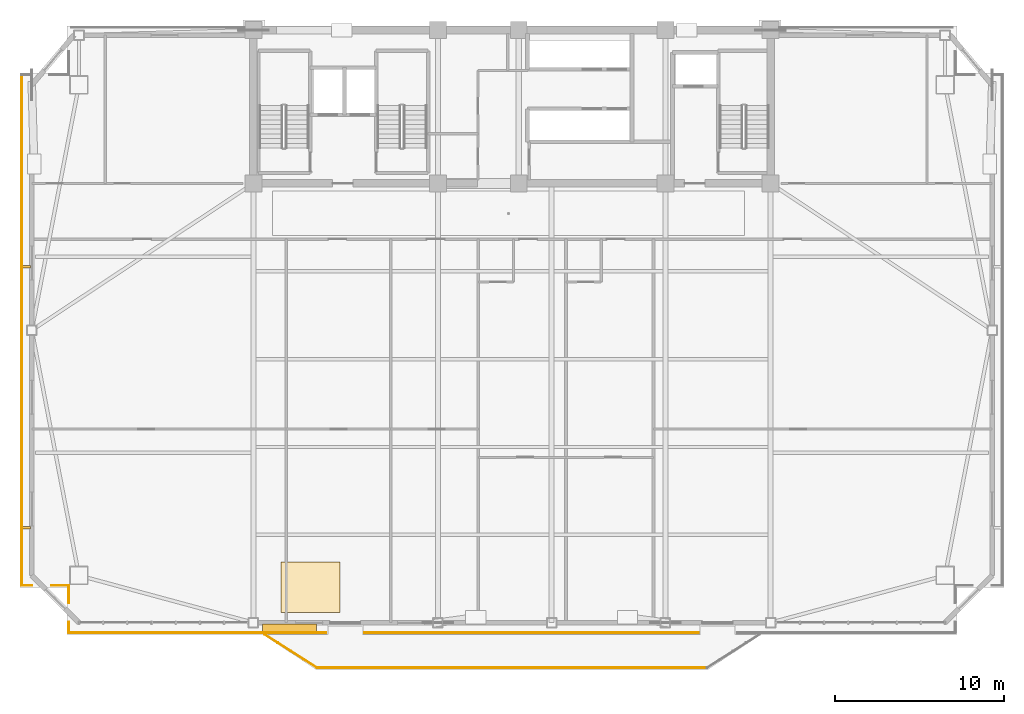
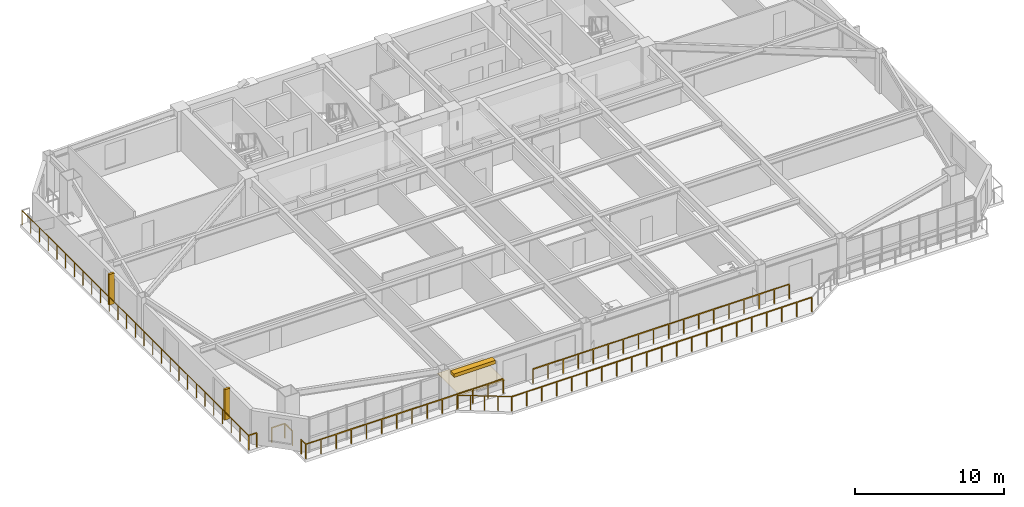
# One storey, part 13 of 17: 9 railings, 3 shading devices, 1 covering.
"""IFC4 building model written with IfcOpenShell, lengths in metres."""

from ifc_helpers import new_model, si_unit, direction, frame, origin, origin_2d, place, context, subcontext, project, spatial, polyline, rectangle, outline, extrude, source, transform, mapped, material, layer, layer_set, type_object, element, save


model = new_model("IFC4")

# Units and contexts
model_context = context("Model", 3, precision=1e-05, world=origin(), true_north=direction((0.0, 1.0)))
body_context = subcontext(model_context, "Body", "Model", "MODEL_VIEW")
ifc_project = project(units=[si_unit("LENGTHUNIT", "METRE"), si_unit("AREAUNIT", "SQUARE_METRE"), si_unit("VOLUMEUNIT", "CUBIC_METRE"), si_unit("PLANEANGLEUNIT", "RADIAN"), si_unit("MASSUNIT", "GRAM", prefix="KILO")], contexts=[model_context])

# Site, building, storey
site_placement = place(None, origin())
site = spatial("IfcSite", under=ifc_project, at=site_placement, CompositionType="ELEMENT")
building_placement = place(site_placement, origin())
building = spatial("IfcBuilding", under=site, at=building_placement, Name="Giltprow Tower", CompositionType="ELEMENT")
storey_placement = place(building_placement, frame((0.0, 0.0, 202.699951171875)))
storey = spatial("IfcBuildingStorey", under=building, at=storey_placement, Name="L51", CompositionType="ELEMENT", Elevation=202.699951171875)

# Covering
ifc_material_1 = material(Name="Engineered oak", Category="wood")
ifc_layer = layer(ifc_material_1, 0.02490234375, Name="Engineered oak")
ifc_layer_set = layer_set([ifc_layer], Name="Engineered oak")
covering_type = type_object("IfcCoveringType", Name="COV-FLR-TIMBER", PredefinedType="FLOORING", material=ifc_layer_set)
covering_placement = place(storey_placement, origin())
element("IfcCovering", 1, at=covering_placement, inside=storey, type_object=covering_type, Name="L51 Engineered Oak Guestroom Flooring", PredefinedType="FLOORING", context=body_context, shape_type="SweptSolid", body=[
    extrude(outline(polyline([(21.5, 11.986083984375), (25.0, 11.986083984375), (25.0, 14.986083984375), (21.5, 14.986083984375), (21.5, 11.986083984375)])), origin(), (0.0, 0.0, 1.0), 0.025146484375),
])

# Railings
ifc_material_2 = material(Name="Anodized bronze", Category="metal")
railing_type = type_object("IfcRailingType", Name="RAIL-BALC-GUARD-1200", PredefinedType="BALUSTRADE", material=ifc_material_2)
railing_1_placement = place(storey_placement, frame((20.52001953125, 10.68603515625, 0.0)))
element("IfcRailing", 2, at=railing_1_placement, inside=storey, type_object=railing_type, Name="L51 Waterfront Balcony Balustrade Seg 1", PredefinedType="BALUSTRADE", context=body_context, shape_type="SweptSolid", body=[
    extrude(rectangle(XDim=0.048095703125, YDim=0.048095703125, at=origin_2d()), frame((0.0, 0.0, 1.17578125), z_axis=(0.84277487735, -0.538266203757, 0.0), x_axis=(0.538266203757, 0.84277487735, 0.0)), (0.0, 0.0, 1.0), 3.678466796875),
    extrude(rectangle(XDim=0.0419921875, YDim=0.0419921875, at=origin_2d()), origin(), (0.0, 0.0, 1.0), 1.15185546875),
    extrude(rectangle(XDim=0.0419921875, YDim=0.0419921875, at=origin_2d()), frame((0.77490234375, -0.4951171875, 0.0)), (0.0, 0.0, 1.0), 1.15185546875),
    extrude(rectangle(XDim=0.0419921875, YDim=0.0419921875, at=origin_2d()), frame((1.550048828125, -0.989990234375, 0.0)), (0.0, 0.0, 1.0), 1.15185546875),
    extrude(rectangle(XDim=0.0419921875, YDim=0.0419921875, at=origin_2d()), frame((2.3251953125, -1.48486328125, 0.0)), (0.0, 0.0, 1.0), 1.15185546875),
    extrude(rectangle(XDim=0.0419921875, YDim=0.0419921875, at=origin_2d()), frame((3.10009765625, -1.97998046875, 0.0)), (0.0, 0.0, 1.0), 1.15185546875),
])
railing_2_placement = place(storey_placement, frame((23.6201171875, 8.7060546875, 0.0)))
element("IfcRailing", 3, at=railing_2_placement, inside=storey, type_object=railing_type, Name="L51 Waterfront Balcony Balustrade Seg 2", PredefinedType="BALUSTRADE", context=body_context, shape_type="SweptSolid", body=[
    extrude(rectangle(XDim=0.048095703125, YDim=0.048095703125, at=origin_2d()), frame((0.0, 0.0, 1.17578125), z_axis=(1.0, 0.0, 0.0), x_axis=(0.0, 1.0, 0.0)), (0.0, 0.0, 1.0), 23.159912109375),
    extrude(rectangle(XDim=0.0419921875, YDim=0.0419921875, at=origin_2d()), origin(), (0.0, 0.0, 1.0), 1.15185546875),
    extrude(rectangle(XDim=0.0419921875, YDim=0.0419921875, at=origin_2d()), frame((1.157958984375, 0.0, 0.0)), (0.0, 0.0, 1.0), 1.15185546875),
    extrude(rectangle(XDim=0.0419921875, YDim=0.0419921875, at=origin_2d()), frame((2.31591796875, 0.0, 0.0)), (0.0, 0.0, 1.0), 1.15185546875),
    extrude(rectangle(XDim=0.0419921875, YDim=0.0419921875, at=origin_2d()), frame((3.473876953125, 0.0, 0.0)), (0.0, 0.0, 1.0), 1.15185546875),
    extrude(rectangle(XDim=0.0419921875, YDim=0.0419921875, at=origin_2d()), frame((4.632080078125, 0.0, 0.0)), (0.0, 0.0, 1.0), 1.15185546875),
    extrude(rectangle(XDim=0.0419921875, YDim=0.0419921875, at=origin_2d()), frame((5.7900390625, 0.0, 0.0)), (0.0, 0.0, 1.0), 1.15185546875),
    extrude(rectangle(XDim=0.0419921875, YDim=0.0419921875, at=origin_2d()), frame((6.947998046875, 0.0, 0.0)), (0.0, 0.0, 1.0), 1.15185546875),
    extrude(rectangle(XDim=0.0419921875, YDim=0.0419921875, at=origin_2d()), frame((8.10595703125, 0.0, 0.0)), (0.0, 0.0, 1.0), 1.15185546875),
    extrude(rectangle(XDim=0.0419921875, YDim=0.0419921875, at=origin_2d()), frame((9.263916015625, 0.0, 0.0)), (0.0, 0.0, 1.0), 1.15185546875),
    extrude(rectangle(XDim=0.0419921875, YDim=0.0419921875, at=origin_2d()), frame((10.421875, 0.0, 0.0)), (0.0, 0.0, 1.0), 1.15185546875),
    extrude(rectangle(XDim=0.0419921875, YDim=0.0419921875, at=origin_2d()), frame((11.580078125, 0.0, 0.0)), (0.0, 0.0, 1.0), 1.15185546875),
    extrude(rectangle(XDim=0.0419921875, YDim=0.0419921875, at=origin_2d()), frame((12.738037109375, 0.0, 0.0)), (0.0, 0.0, 1.0), 1.15185546875),
    extrude(rectangle(XDim=0.0419921875, YDim=0.0419921875, at=origin_2d()), frame((13.89599609375, 0.0, 0.0)), (0.0, 0.0, 1.0), 1.15185546875),
    extrude(rectangle(XDim=0.0419921875, YDim=0.0419921875, at=origin_2d()), frame((15.053955078125, 0.0, 0.0)), (0.0, 0.0, 1.0), 1.15185546875),
    extrude(rectangle(XDim=0.0419921875, YDim=0.0419921875, at=origin_2d()), frame((16.2119140625, 0.0, 0.0)), (0.0, 0.0, 1.0), 1.15185546875),
    extrude(rectangle(XDim=0.0419921875, YDim=0.0419921875, at=origin_2d()), frame((17.369873046875, 0.0, 0.0)), (0.0, 0.0, 1.0), 1.15185546875),
    extrude(rectangle(XDim=0.0419921875, YDim=0.0419921875, at=origin_2d()), frame((18.52783203125, 0.0, 0.0)), (0.0, 0.0, 1.0), 1.15185546875),
    extrude(rectangle(XDim=0.0419921875, YDim=0.0419921875, at=origin_2d()), frame((19.68603515625, 0.0, 0.0)), (0.0, 0.0, 1.0), 1.15185546875),
    extrude(rectangle(XDim=0.0419921875, YDim=0.0419921875, at=origin_2d()), frame((20.843994140625, 0.0, 0.0)), (0.0, 0.0, 1.0), 1.15185546875),
    extrude(rectangle(XDim=0.0419921875, YDim=0.0419921875, at=origin_2d()), frame((22.001953125, 0.0, 0.0)), (0.0, 0.0, 1.0), 1.15185546875),
    extrude(rectangle(XDim=0.0419921875, YDim=0.0419921875, at=origin_2d()), frame((23.159912109375, 0.0, 0.0)), (0.0, 0.0, 1.0), 1.15185546875),
])
railing_3_placement = place(storey_placement, frame((46.25, 10.785888671875, 0.0)))
element("IfcRailing", 4, at=railing_3_placement, inside=storey, type_object=railing_type, Name="L51 Corner Apron Edge Balustrade 7", PredefinedType="BALUSTRADE", context=body_context, shape_type="SweptSolid", body=[
    extrude(rectangle(XDim=0.048095703125, YDim=0.048095703125, at=origin_2d()), frame((0.0, 0.0, 1.17578125), z_axis=(-1.0, 0.0, 0.0), x_axis=(0.0, -1.0, 0.0)), (0.0, 0.0, 1.0), 19.800048828125),
    extrude(rectangle(XDim=0.0419921875, YDim=0.0419921875, at=origin_2d()), origin(), (0.0, 0.0, 1.0), 1.15185546875),
    extrude(rectangle(XDim=0.0419921875, YDim=0.0419921875, at=origin_2d()), frame((-1.164794921875, 0.0, 0.0)), (0.0, 0.0, 1.0), 1.15185546875),
    extrude(rectangle(XDim=0.0419921875, YDim=0.0419921875, at=origin_2d()), frame((-2.329345703125, 0.0, 0.0)), (0.0, 0.0, 1.0), 1.15185546875),
    extrude(rectangle(XDim=0.0419921875, YDim=0.0419921875, at=origin_2d()), frame((-3.494140625, 0.0, 0.0)), (0.0, 0.0, 1.0), 1.15185546875),
    extrude(rectangle(XDim=0.0419921875, YDim=0.0419921875, at=origin_2d()), frame((-4.658935546875, 0.0, 0.0)), (0.0, 0.0, 1.0), 1.15185546875),
    extrude(rectangle(XDim=0.0419921875, YDim=0.0419921875, at=origin_2d()), frame((-5.823486328125, 0.0, 0.0)), (0.0, 0.0, 1.0), 1.15185546875),
    extrude(rectangle(XDim=0.0419921875, YDim=0.0419921875, at=origin_2d()), frame((-6.98828125, 0.0, 0.0)), (0.0, 0.0, 1.0), 1.15185546875),
    extrude(rectangle(XDim=0.0419921875, YDim=0.0419921875, at=origin_2d()), frame((-8.153076171875, 0.0, 0.0)), (0.0, 0.0, 1.0), 1.15185546875),
    extrude(rectangle(XDim=0.0419921875, YDim=0.0419921875, at=origin_2d()), frame((-9.317626953125, 0.0, 0.0)), (0.0, 0.0, 1.0), 1.15185546875),
    extrude(rectangle(XDim=0.0419921875, YDim=0.0419921875, at=origin_2d()), frame((-10.482421875, 0.0, 0.0)), (0.0, 0.0, 1.0), 1.15185546875),
    extrude(rectangle(XDim=0.0419921875, YDim=0.0419921875, at=origin_2d()), frame((-11.64697265625, 0.0, 0.0)), (0.0, 0.0, 1.0), 1.15185546875),
    extrude(rectangle(XDim=0.0419921875, YDim=0.0419921875, at=origin_2d()), frame((-12.811767578125, 0.0, 0.0)), (0.0, 0.0, 1.0), 1.15185546875),
    extrude(rectangle(XDim=0.0419921875, YDim=0.0419921875, at=origin_2d()), frame((-13.9765625, 0.0, 0.0)), (0.0, 0.0, 1.0), 1.15185546875),
    extrude(rectangle(XDim=0.0419921875, YDim=0.0419921875, at=origin_2d()), frame((-15.14111328125, 0.0, 0.0)), (0.0, 0.0, 1.0), 1.15185546875),
    extrude(rectangle(XDim=0.0419921875, YDim=0.0419921875, at=origin_2d()), frame((-16.305908203125, 0.0, 0.0)), (0.0, 0.0, 1.0), 1.15185546875),
    extrude(rectangle(XDim=0.0419921875, YDim=0.0419921875, at=origin_2d()), frame((-17.470703125, 0.0, 0.0)), (0.0, 0.0, 1.0), 1.15185546875),
    extrude(rectangle(XDim=0.0419921875, YDim=0.0419921875, at=origin_2d()), frame((-18.63525390625, 0.0, 0.0)), (0.0, 0.0, 1.0), 1.15185546875),
    extrude(rectangle(XDim=0.0419921875, YDim=0.0419921875, at=origin_2d()), frame((-19.800048828125, 0.0, 0.0)), (0.0, 0.0, 1.0), 1.15185546875),
])
railing_4_placement = place(storey_placement, frame((24.14990234375, 10.785888671875, 0.0)))
element("IfcRailing", 5, at=railing_4_placement, inside=storey, type_object=railing_type, Name="L51 Corner Apron Edge Balustrade 8", PredefinedType="BALUSTRADE", context=body_context, shape_type="SweptSolid", body=[
    extrude(rectangle(XDim=0.048095703125, YDim=0.048095703125, at=origin_2d()), frame((0.0, 0.0, 1.17578125), z_axis=(-1.0, 0.0, 0.0), x_axis=(0.0, -1.0, 0.0)), (0.0, 0.0, 1.0), 15.246826171875),
    extrude(rectangle(XDim=0.0419921875, YDim=0.0419921875, at=origin_2d()), origin(), (0.0, 0.0, 1.0), 1.15185546875),
    extrude(rectangle(XDim=0.0419921875, YDim=0.0419921875, at=origin_2d()), frame((-1.1728515625, 0.0, 0.0)), (0.0, 0.0, 1.0), 1.15185546875),
    extrude(rectangle(XDim=0.0419921875, YDim=0.0419921875, at=origin_2d()), frame((-2.345703125, 0.0, 0.0)), (0.0, 0.0, 1.0), 1.15185546875),
    extrude(rectangle(XDim=0.0419921875, YDim=0.0419921875, at=origin_2d()), frame((-3.5185546875, 0.0, 0.0)), (0.0, 0.0, 1.0), 1.15185546875),
    extrude(rectangle(XDim=0.0419921875, YDim=0.0419921875, at=origin_2d()), frame((-4.69140625, 0.0, 0.0)), (0.0, 0.0, 1.0), 1.15185546875),
    extrude(rectangle(XDim=0.0419921875, YDim=0.0419921875, at=origin_2d()), frame((-5.8642578125, 0.0, 0.0)), (0.0, 0.0, 1.0), 1.15185546875),
    extrude(rectangle(XDim=0.0419921875, YDim=0.0419921875, at=origin_2d()), frame((-7.037109375, 0.0, 0.0)), (0.0, 0.0, 1.0), 1.15185546875),
    extrude(rectangle(XDim=0.0419921875, YDim=0.0419921875, at=origin_2d()), frame((-8.209716796875, 0.0, 0.0)), (0.0, 0.0, 1.0), 1.15185546875),
    extrude(rectangle(XDim=0.0419921875, YDim=0.0419921875, at=origin_2d()), frame((-9.382568359375, 0.0, 0.0)), (0.0, 0.0, 1.0), 1.15185546875),
    extrude(rectangle(XDim=0.0419921875, YDim=0.0419921875, at=origin_2d()), frame((-10.555419921875, 0.0, 0.0)), (0.0, 0.0, 1.0), 1.15185546875),
    extrude(rectangle(XDim=0.0419921875, YDim=0.0419921875, at=origin_2d()), frame((-11.728271484375, 0.0, 0.0)), (0.0, 0.0, 1.0), 1.15185546875),
    extrude(rectangle(XDim=0.0419921875, YDim=0.0419921875, at=origin_2d()), frame((-12.901123046875, 0.0, 0.0)), (0.0, 0.0, 1.0), 1.15185546875),
    extrude(rectangle(XDim=0.0419921875, YDim=0.0419921875, at=origin_2d()), frame((-14.073974609375, 0.0, 0.0)), (0.0, 0.0, 1.0), 1.15185546875),
    extrude(rectangle(XDim=0.0419921875, YDim=0.0419921875, at=origin_2d()), frame((-15.246826171875, 0.0, 0.0)), (0.0, 0.0, 1.0), 1.15185546875),
])
railing_5_placement = place(storey_placement, frame((8.903076171875, 10.785888671875, 0.0)))
element("IfcRailing", 6, at=railing_5_placement, inside=storey, type_object=railing_type, Name="L51 Corner Apron Edge Balustrade 9", PredefinedType="BALUSTRADE", context=body_context, shape_type="SweptSolid", body=[
    extrude(rectangle(XDim=0.048095703125, YDim=0.048095703125, at=origin_2d()), frame((0.0, 0.0, 1.17578125), z_axis=(0.0, 1.0, 0.0), x_axis=(-1.0, 0.0, 0.0)), (0.0, 0.0, 1.0), 0.6201171875),
    extrude(rectangle(XDim=0.0419921875, YDim=0.0419921875, at=origin_2d()), origin(), (0.0, 0.0, 1.0), 1.15185546875),
    extrude(rectangle(XDim=0.0419921875, YDim=0.0419921875, at=origin_2d()), frame((0.0, 0.6201171875, 0.0)), (0.0, 0.0, 1.0), 1.15185546875),
])
railing_6_placement = place(storey_placement, frame((8.903076171875, 12.56591796875, 0.0)))
element("IfcRailing", 7, at=railing_6_placement, inside=storey, type_object=railing_type, Name="L51 Corner Apron Edge Balustrade 10", PredefinedType="BALUSTRADE", context=body_context, shape_type="SweptSolid", body=[
    extrude(rectangle(XDim=0.048095703125, YDim=0.048095703125, at=origin_2d()), frame((0.0, 0.0, 1.17578125), z_axis=(0.0, 1.0, 0.0), x_axis=(-1.0, 0.0, 0.0)), (0.0, 0.0, 1.0), 1.02001953125),
    extrude(rectangle(XDim=0.0419921875, YDim=0.0419921875, at=origin_2d()), origin(), (0.0, 0.0, 1.0), 1.15185546875),
    extrude(rectangle(XDim=0.0419921875, YDim=0.0419921875, at=origin_2d()), frame((0.0, 1.02001953125, 0.0)), (0.0, 0.0, 1.0), 1.15185546875),
])
railing_7_placement = place(storey_placement, frame((8.903076171875, 13.5859375, 0.0)))
element("IfcRailing", 8, at=railing_7_placement, inside=storey, type_object=railing_type, Name="L51 Corner Apron Edge Balustrade 11", PredefinedType="BALUSTRADE", context=body_context, shape_type="SweptSolid", body=[
    extrude(rectangle(XDim=0.048095703125, YDim=0.048095703125, at=origin_2d()), frame((0.0, 0.0, 1.17578125), z_axis=(-1.0, 0.0, 0.0), x_axis=(0.0, -1.0, 0.0)), (0.0, 0.0, 1.0), 1.02001953125),
    extrude(rectangle(XDim=0.0419921875, YDim=0.0419921875, at=origin_2d()), origin(), (0.0, 0.0, 1.0), 1.15185546875),
    extrude(rectangle(XDim=0.0419921875, YDim=0.0419921875, at=origin_2d()), frame((-1.02001953125, 0.0, 0.0)), (0.0, 0.0, 1.0), 1.15185546875),
])
railing_8_placement = place(storey_placement, frame((6.722900390625, 13.5859375, 0.0)))
element("IfcRailing", 9, at=railing_8_placement, inside=storey, type_object=railing_type, Name="L51 Corner Apron Edge Balustrade 12", PredefinedType="BALUSTRADE", context=body_context, shape_type="SweptSolid", body=[
    extrude(rectangle(XDim=0.048095703125, YDim=0.048095703125, at=origin_2d()), frame((0.0, 0.0, 1.17578125), z_axis=(-1.0, 0.0, 0.0), x_axis=(0.0, -1.0, 0.0)), (0.0, 0.0, 1.0), 0.619873046875),
    extrude(rectangle(XDim=0.0419921875, YDim=0.0419921875, at=origin_2d()), origin(), (0.0, 0.0, 1.0), 1.15185546875),
    extrude(rectangle(XDim=0.0419921875, YDim=0.0419921875, at=origin_2d()), frame((-0.619873046875, 0.0, 0.0)), (0.0, 0.0, 1.0), 1.15185546875),
])
railing_9_placement = place(storey_placement, frame((6.10302734375, 13.5859375, 0.0)))
element("IfcRailing", 10, at=railing_9_placement, inside=storey, type_object=railing_type, Name="L51 Corner Apron Edge Balustrade 13", PredefinedType="BALUSTRADE", context=body_context, shape_type="SweptSolid", body=[
    extrude(rectangle(XDim=0.048095703125, YDim=0.048095703125, at=origin_2d()), frame((0.0, 0.0, 1.17578125), z_axis=(0.0, 1.0, 0.0), x_axis=(-1.0, 0.0, 0.0)), (0.0, 0.0, 1.0), 30.31396484375),
    extrude(rectangle(XDim=0.0419921875, YDim=0.0419921875, at=origin_2d()), origin(), (0.0, 0.0, 1.0), 1.15185546875),
    extrude(rectangle(XDim=0.0419921875, YDim=0.0419921875, at=origin_2d()), frame((0.0, 1.166015625, 0.0)), (0.0, 0.0, 1.0), 1.15185546875),
    extrude(rectangle(XDim=0.0419921875, YDim=0.0419921875, at=origin_2d()), frame((0.0, 2.331787109375, 0.0)), (0.0, 0.0, 1.0), 1.15185546875),
    extrude(rectangle(XDim=0.0419921875, YDim=0.0419921875, at=origin_2d()), frame((0.0, 3.497802734375, 0.0)), (0.0, 0.0, 1.0), 1.15185546875),
    extrude(rectangle(XDim=0.0419921875, YDim=0.0419921875, at=origin_2d()), frame((0.0, 4.66357421875, 0.0)), (0.0, 0.0, 1.0), 1.15185546875),
    extrude(rectangle(XDim=0.0419921875, YDim=0.0419921875, at=origin_2d()), frame((0.0, 5.82958984375, 0.0)), (0.0, 0.0, 1.0), 1.15185546875),
    extrude(rectangle(XDim=0.0419921875, YDim=0.0419921875, at=origin_2d()), frame((0.0, 6.99560546875, 0.0)), (0.0, 0.0, 1.0), 1.15185546875),
    extrude(rectangle(XDim=0.0419921875, YDim=0.0419921875, at=origin_2d()), frame((0.0, 8.161376953125, 0.0)), (0.0, 0.0, 1.0), 1.15185546875),
    extrude(rectangle(XDim=0.0419921875, YDim=0.0419921875, at=origin_2d()), frame((0.0, 9.327392578125, 0.0)), (0.0, 0.0, 1.0), 1.15185546875),
    extrude(rectangle(XDim=0.0419921875, YDim=0.0419921875, at=origin_2d()), frame((0.0, 10.493408203125, 0.0)), (0.0, 0.0, 1.0), 1.15185546875),
    extrude(rectangle(XDim=0.0419921875, YDim=0.0419921875, at=origin_2d()), frame((0.0, 11.6591796875, 0.0)), (0.0, 0.0, 1.0), 1.15185546875),
    extrude(rectangle(XDim=0.0419921875, YDim=0.0419921875, at=origin_2d()), frame((0.0, 12.8251953125, 0.0)), (0.0, 0.0, 1.0), 1.15185546875),
    extrude(rectangle(XDim=0.0419921875, YDim=0.0419921875, at=origin_2d()), frame((0.0, 13.990966796875, 0.0)), (0.0, 0.0, 1.0), 1.15185546875),
    extrude(rectangle(XDim=0.0419921875, YDim=0.0419921875, at=origin_2d()), frame((0.0, 15.156982421875, 0.0)), (0.0, 0.0, 1.0), 1.15185546875),
    extrude(rectangle(XDim=0.0419921875, YDim=0.0419921875, at=origin_2d()), frame((0.0, 16.322998046875, 0.0)), (0.0, 0.0, 1.0), 1.15185546875),
    extrude(rectangle(XDim=0.0419921875, YDim=0.0419921875, at=origin_2d()), frame((0.0, 17.48876953125, 0.0)), (0.0, 0.0, 1.0), 1.15185546875),
    extrude(rectangle(XDim=0.0419921875, YDim=0.0419921875, at=origin_2d()), frame((0.0, 18.65478515625, 0.0)), (0.0, 0.0, 1.0), 1.15185546875),
    extrude(rectangle(XDim=0.0419921875, YDim=0.0419921875, at=origin_2d()), frame((0.0, 19.820556640625, 0.0)), (0.0, 0.0, 1.0), 1.15185546875),
    extrude(rectangle(XDim=0.0419921875, YDim=0.0419921875, at=origin_2d()), frame((0.0, 20.986572265625, 0.0)), (0.0, 0.0, 1.0), 1.15185546875),
    extrude(rectangle(XDim=0.0419921875, YDim=0.0419921875, at=origin_2d()), frame((0.0, 22.152587890625, 0.0)), (0.0, 0.0, 1.0), 1.15185546875),
    extrude(rectangle(XDim=0.0419921875, YDim=0.0419921875, at=origin_2d()), frame((0.0, 23.318359375, 0.0)), (0.0, 0.0, 1.0), 1.15185546875),
    extrude(rectangle(XDim=0.0419921875, YDim=0.0419921875, at=origin_2d()), frame((0.0, 24.484375, 0.0)), (0.0, 0.0, 1.0), 1.15185546875),
    extrude(rectangle(XDim=0.0419921875, YDim=0.0419921875, at=origin_2d()), frame((0.0, 25.650390625, 0.0)), (0.0, 0.0, 1.0), 1.15185546875),
    extrude(rectangle(XDim=0.0419921875, YDim=0.0419921875, at=origin_2d()), frame((0.0, 26.816162109375, 0.0)), (0.0, 0.0, 1.0), 1.15185546875),
    extrude(rectangle(XDim=0.0419921875, YDim=0.0419921875, at=origin_2d()), frame((0.0, 27.982177734375, 0.0)), (0.0, 0.0, 1.0), 1.15185546875),
    extrude(rectangle(XDim=0.0419921875, YDim=0.0419921875, at=origin_2d()), frame((0.0, 29.14794921875, 0.0)), (0.0, 0.0, 1.0), 1.15185546875),
    extrude(rectangle(XDim=0.0419921875, YDim=0.0419921875, at=origin_2d()), frame((0.0, 30.31396484375, 0.0)), (0.0, 0.0, 1.0), 1.15185546875),
])

# Shading devices
shading_device_type_1 = type_object("IfcShadingDeviceType", Name="SHD-FIN-420", PredefinedType="USERDEFINED", material=ifc_material_2)
shared_shape_1 = source(origin(), body_context, "Body", "SweptSolid", [
    extrude(rectangle(XDim=0.419921875, YDim=0.159912109375, at=origin_2d()), origin(), (0.0, 0.0, 1.0), 2.5),
])
for number, where, z_axis, x_axis, name in (
    (11, (6.403076171875, 17.012939453125, 0.35009765625), (0.0, 0.0, 1.0), (1.0, 0.0, 0.0), "L51 W Bronze Vertical Fin 1-1"),
    (12, (6.403076171875, 32.5029296875, 0.35009765625), (0.0, 0.0, 1.0), (1.0, 0.0, 0.0), "L51 W Bronze Vertical Fin 2-1"),
):
    element("IfcShadingDevice", number, at=place(storey_placement, frame(where, z_axis=z_axis, x_axis=x_axis)), inside=storey, type_object=shading_device_type_1, Name=name, ObjectType="FIN", PredefinedType="USERDEFINED", context=body_context, shape_type="MappedRepresentation", body=[
        mapped(shared_shape_1, transform((0.0, 0.0, 0.0), x_axis=(1.0, 0.0, 0.0), y_axis=(0.0, 1.0, 0.0), z_axis=(0.0, 0.0, 1.0), scale=1.0)),
    ])
shading_device_type_2 = type_object("IfcShadingDeviceType", Name="SHD-LOUVRE-320", PredefinedType="JALOUSIE", material=ifc_material_2)
shared_shape_2 = source(origin(), body_context, "Body", "SweptSolid", [
    extrude(rectangle(XDim=3.199951171875, YDim=0.449951171875, at=origin_2d()), origin(), (0.0, 0.0, 1.0), 0.280029296875),
])
shading_device_placement = place(storey_placement, frame((22.0, 11.0859375, 2.56005859375), z_axis=(0.0, 0.0, 1.0), x_axis=(1.0, 0.0, 0.0)))
element("IfcShadingDevice", 13, at=shading_device_placement, inside=storey, type_object=shading_device_type_2, Name="L51 Bronze Sunshade Louvre S-2", PredefinedType="JALOUSIE", context=body_context, shape_type="MappedRepresentation", body=[
    mapped(shared_shape_2, transform((0.0, 0.0, 0.0), x_axis=(1.0, 0.0, 0.0), y_axis=(0.0, 1.0, 0.0), z_axis=(0.0, 0.0, 1.0), scale=1.0)),
])

save(model, "model.ifc")
